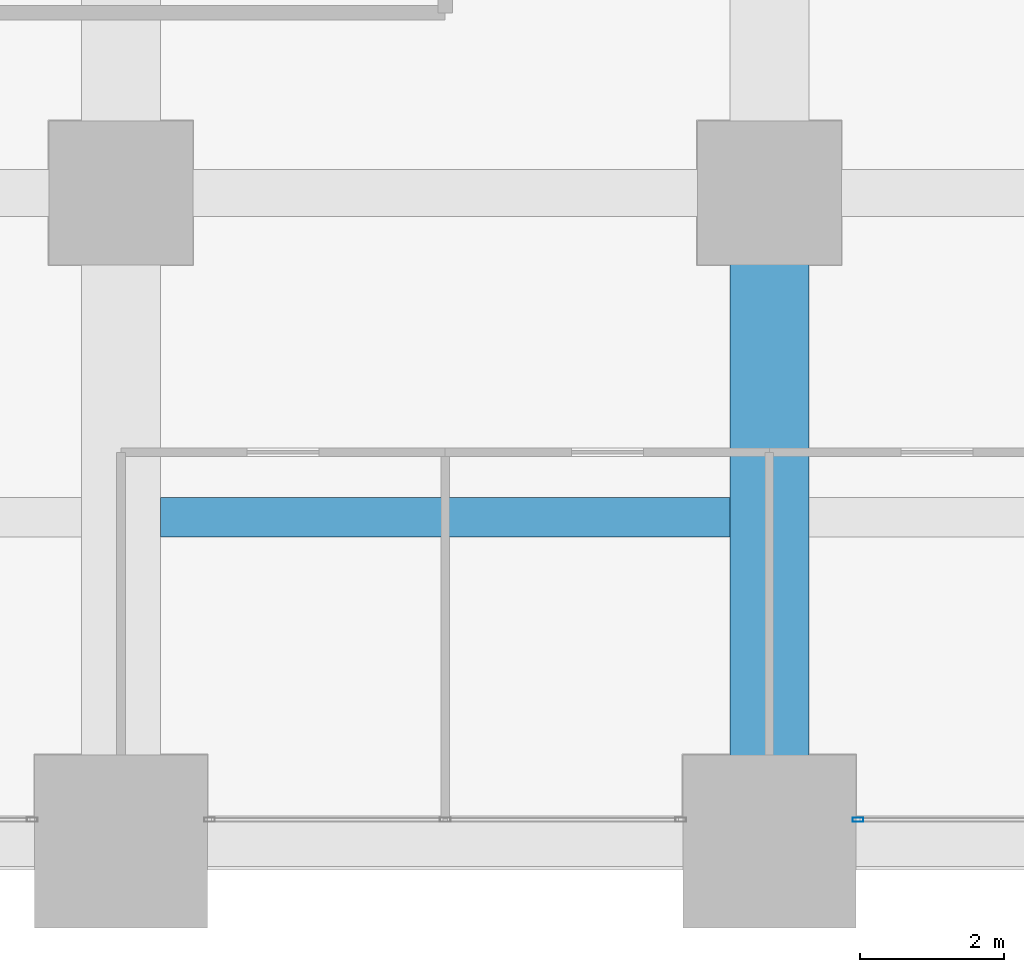
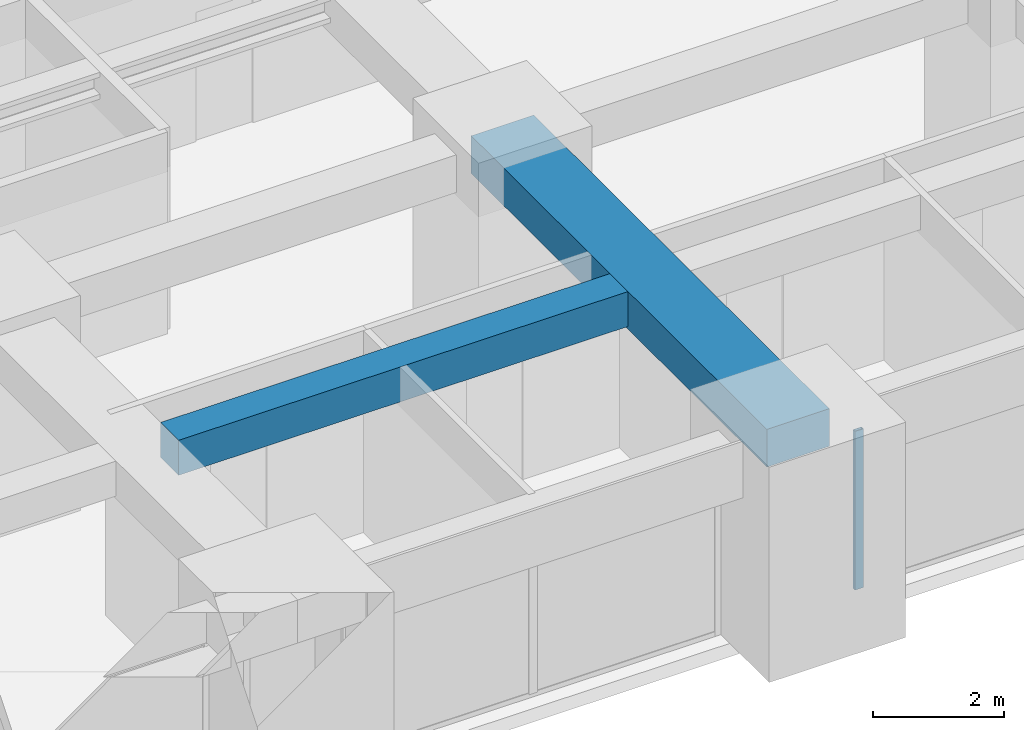
# One storey, part 14 of 41: 2 beams, 1 member, 1 element without a shape of its own.
"""IFC4 building model written with IfcOpenShell, lengths in metres."""

from ifc_helpers import new_model, si_unit, direction, frame, origin, origin_2d, place, context, subcontext, project, spatial, rectangle, hollow_rectangle, extrude, material, material_profile, profile_set, type_object, element, aggregate, save


model = new_model("IFC4")

# Units and contexts
model_context = context("Model", 3, precision=1e-05, world=origin(), true_north=direction((0.0, 1.0)))
body_context = subcontext(model_context, "Body", "Model", "MODEL_VIEW")
ifc_project = project(units=[si_unit("LENGTHUNIT", "METRE"), si_unit("AREAUNIT", "SQUARE_METRE"), si_unit("VOLUMEUNIT", "CUBIC_METRE"), si_unit("PLANEANGLEUNIT", "RADIAN"), si_unit("MASSUNIT", "GRAM", prefix="KILO")], contexts=[model_context])

# Site, building, storey
site_placement = place(None, origin())
site = spatial("IfcSite", under=ifc_project, at=site_placement, CompositionType="ELEMENT")
building_placement = place(site_placement, origin())
building = spatial("IfcBuilding", under=site, at=building_placement, Name="Zorevar Civic Tower", CompositionType="ELEMENT")
storey_placement = place(building_placement, frame((0.0, 0.0, 97.0)))
storey = spatial("IfcBuildingStorey", under=building, at=storey_placement, Name="L23", CompositionType="ELEMENT", Elevation=97.0)

# Beams
ifc_material_1 = material(Name="Concrete C50/60", Category="concrete")
ifc_material_profile_1 = material_profile(ifc_material_1, rectangle(XDim=1.10009765625, YDim=0.699951171875, at=origin_2d()), Name="RC 1100x700")
ifc_profile_set_1 = profile_set([ifc_material_profile_1], Name="Concrete C50/60")
beam_type_1 = type_object("IfcBeamType", Name="Beam RC 1100x700", PredefinedType="BEAM", material=ifc_profile_set_1)
beam_1_placement = place(storey_placement, frame((45.0, 0.0, 3.39990234375), z_axis=(0.0, 1.0, 0.0), x_axis=(-1.0, 0.0, 0.0)))
element("IfcBeam", 1, at=beam_1_placement, inside=storey, type_object=beam_type_1, Name="Girder L24", PredefinedType="BEAM", context=body_context, shape_type="SweptSolid", body=[
    extrude(rectangle(XDim=1.10009765625, YDim=0.699951171875, at=origin_2d()), origin(), (0.0, 0.0, 1.0), 9.0),
])
ifc_material_2 = material(Name="Concrete C50/60", Category="concrete")
ifc_material_profile_2 = material_profile(ifc_material_2, rectangle(XDim=0.550048828125, YDim=0.64990234375, at=origin_2d()), Name="RC 550x650")
ifc_profile_set_2 = profile_set([ifc_material_profile_2], Name="Concrete C50/60")
beam_type_2 = type_object("IfcBeamType", Name="Beam RC 550x650", PredefinedType="BEAM", material=ifc_profile_set_2)
beam_2_placement = place(storey_placement, frame((36.550048828125, 4.5, 3.425048828125), z_axis=(1.0, 0.0, 0.0), x_axis=(0.0, 1.0, 0.0)))
element("IfcBeam", 2, at=beam_2_placement, inside=storey, type_object=beam_type_2, Name="Secondary beam L24", PredefinedType="BEAM", context=body_context, shape_type="SweptSolid", body=[
    extrude(rectangle(XDim=0.550048828125, YDim=0.64990234375, at=origin_2d()), origin(), (0.0, 0.0, 1.0), 7.89990234375),
])

# Curtain wall, member
ifc_material_3 = material(Name="Dark grey solar-control glass in black aluminium frame", Category="aluminium")
curtain_wall_type = type_object("IfcCurtainWallType", Name="Curtain wall CW3 mid zone", PredefinedType="NOTDEFINED", material=ifc_material_3)
curtain_wall_placement = place(storey_placement, origin())
curtain_wall = element("IfcCurtainWall", 3, at=curtain_wall_placement, inside=storey, type_object=curtain_wall_type, Name="CW3 L23", PredefinedType="NOTDEFINED")
ifc_material_4 = material(Name="Aluminium, black anodised", Category="aluminium")
ifc_material_profile_3 = material_profile(ifc_material_4, hollow_rectangle(XDim=0.06005859375, YDim=0.14990234375, WallThickness=0.00390625, at=origin_2d()), Name="AL 150x60x4")
ifc_profile_set_3 = profile_set([ifc_material_profile_3], Name="Aluminium, black anodised")
member_type = type_object("IfcMemberType", Name="CW3 mullion AL 150x60x4", PredefinedType="MULLION", material=ifc_profile_set_3)
member_placement = place(storey_placement, frame((46.22998046875, 0.300048828125, 0.0), z_axis=(0.0, 0.0, 1.0), x_axis=(0.0, 1.0, 0.0)))
member = element("IfcMember", 4, at=member_placement, type_object=member_type, Name="CW3 mullion 1", PredefinedType="MULLION", context=body_context, shape_type="SweptSolid", body=[
    extrude(hollow_rectangle(XDim=0.06005859375, YDim=0.14990234375, WallThickness=0.00390625, at=origin_2d()), origin(), (0.0, 0.0, 1.0), 2.949951171875),
])
aggregate(curtain_wall, [member])

save(model, "model.ifc")
